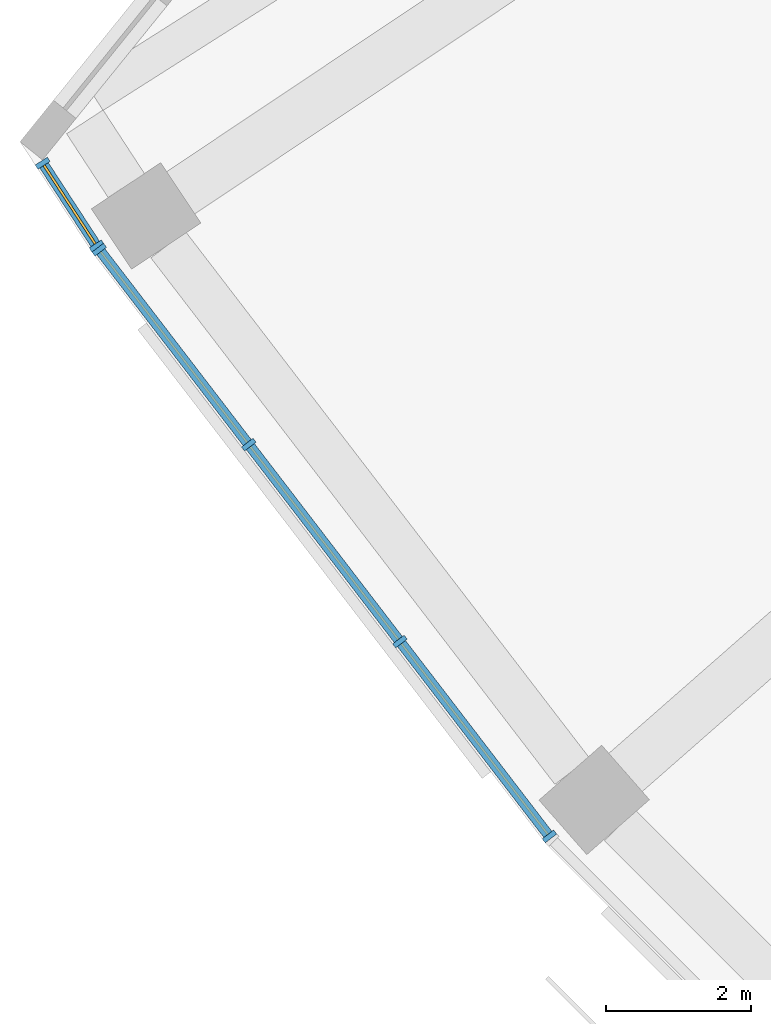
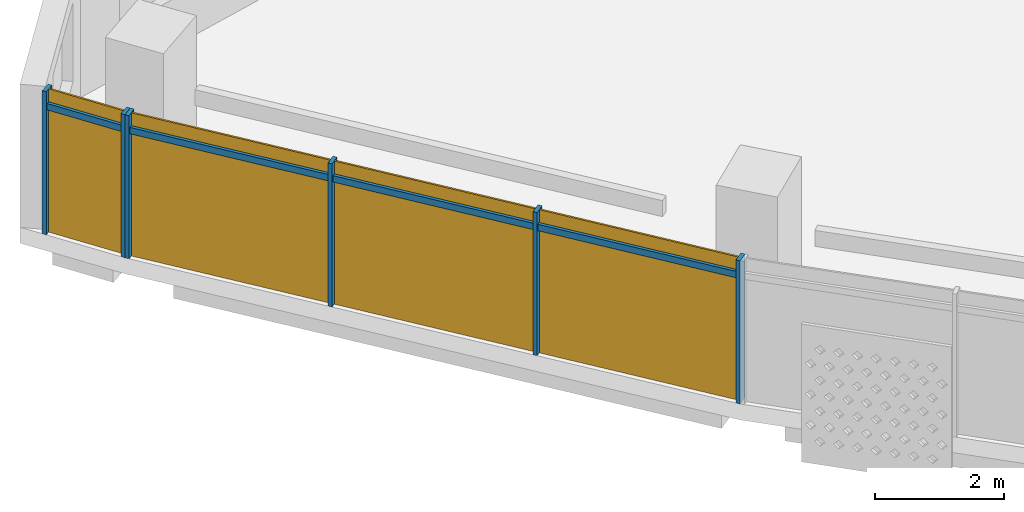
# One storey, part 19 of 29: 10 members, 2 curtain walls.
"""IFC4 building model written with IfcOpenShell, lengths in metres."""

from ifc_helpers import new_model, si_unit, direction, frame, origin, origin_2d, place, context, subcontext, project, spatial, rectangle, extrude, material, material_profile, profile_set, type_object, element, aggregate, save


model = new_model("IFC4")

# Units and contexts
model_context = context("Model", 3, precision=1e-05, world=origin(), true_north=direction((0.0, 1.0)))
body_context = subcontext(model_context, "Body", "Model", "MODEL_VIEW")
ifc_project = project(units=[si_unit("LENGTHUNIT", "METRE"), si_unit("AREAUNIT", "SQUARE_METRE"), si_unit("VOLUMEUNIT", "CUBIC_METRE"), si_unit("PLANEANGLEUNIT", "RADIAN"), si_unit("MASSUNIT", "GRAM", prefix="KILO")], contexts=[model_context])

# Member
ifc_material = material(Name="Aluminium 6063-T6 anodised", Category="aluminium")
ifc_material_profile_1 = material_profile(ifc_material, rectangle(XDim=0.199951171875, YDim=0.070068359375, at=origin_2d()))
ifc_profile_set_1 = profile_set([ifc_material_profile_1], Name="Aluminium 6063-T6 anodised")
member_type_1 = type_object("IfcMemberType", Name="Mullion 70 x 200 aluminium", PredefinedType="MULLION", material=ifc_profile_set_1)
site_placement = place(None, origin())
building_placement = place(site_placement, origin())
storey_placement = place(building_placement, frame((0.0, 0.0, 207.5)))
member_1_placement = place(storey_placement, frame((-66.075927734375, -42.467529296875, 0.0), z_axis=(0.0, 0.0, 1.0), x_axis=(0.83784444888, 0.545909039567, 0.0)))
member_1 = element("IfcMember", 1, at=member_1_placement, type_object=member_type_1, Name="e-cw1-L49-out00/M00", PredefinedType="MULLION", context=body_context, shape_type="SweptSolid", body=[
    extrude(rectangle(XDim=0.199951171875, YDim=0.070068359375, at=origin_2d()), origin(), (0.0, 0.0, 1.0), 2.699951171875),
])

member_2_placement = place(storey_placement, frame((-65.330322265625, -43.611572265625, 0.0), z_axis=(0.0, 0.0, 1.0), x_axis=(0.83784444888, 0.545909039567, 0.0)))
member_2 = element("IfcMember", 2, at=member_2_placement, type_object=member_type_1, Name="e-cw1-L49-out00/M01", PredefinedType="MULLION", context=body_context, shape_type="SweptSolid", body=[
    extrude(rectangle(XDim=0.199951171875, YDim=0.070068359375, at=origin_2d()), origin(), (0.0, 0.0, 1.0), 2.699951171875),
])

member_3_placement = place(storey_placement, frame((-65.29443359375, -43.66259765625, 0.0), z_axis=(0.0, 0.0, 1.0), x_axis=(0.793353340291, 0.608761429009, 0.0)))
member_3 = element("IfcMember", 3, at=member_3_placement, type_object=member_type_1, Name="e-cw1-L49-out01/M00", PredefinedType="MULLION", context=body_context, shape_type="SweptSolid", body=[
    extrude(rectangle(XDim=0.199951171875, YDim=0.070068359375, at=origin_2d()), origin(), (0.0, 0.0, 1.0), 2.699951171875),
])

member_4_placement = place(storey_placement, frame((-63.22802734375, -46.35546875, 0.0), z_axis=(0.0, 0.0, 1.0), x_axis=(0.793353340291, 0.608761429009, 0.0)))
member_4 = element("IfcMember", 4, at=member_4_placement, type_object=member_type_1, Name="e-cw1-L49-out01/M01", PredefinedType="MULLION", context=body_context, shape_type="SweptSolid", body=[
    extrude(rectangle(XDim=0.199951171875, YDim=0.070068359375, at=origin_2d()), origin(), (0.0, 0.0, 1.0), 2.699951171875),
])

member_5_placement = place(storey_placement, frame((-61.140380859375, -49.075927734375, 0.0), z_axis=(0.0, 0.0, 1.0), x_axis=(0.793353340291, 0.608761429009, 0.0)))
member_5 = element("IfcMember", 5, at=member_5_placement, type_object=member_type_1, Name="e-cw1-L49-out01/M02", PredefinedType="MULLION", context=body_context, shape_type="SweptSolid", body=[
    extrude(rectangle(XDim=0.199951171875, YDim=0.070068359375, at=origin_2d()), origin(), (0.0, 0.0, 1.0), 2.699951171875),
])

member_6_placement = place(storey_placement, frame((-59.07421875, -51.768798828125, 0.0), z_axis=(0.0, 0.0, 1.0), x_axis=(0.793353340291, 0.608761429009, 0.0)))
member_6 = element("IfcMember", 6, at=member_6_placement, type_object=member_type_1, Name="e-cw1-L49-out01/M03", PredefinedType="MULLION", context=body_context, shape_type="SweptSolid", body=[
    extrude(rectangle(XDim=0.199951171875, YDim=0.070068359375, at=origin_2d()), origin(), (0.0, 0.0, 1.0), 2.699951171875),
])

ifc_material_profile_2 = material_profile(ifc_material, rectangle(XDim=0.139892578125, YDim=0.1201171875, at=origin_2d()))
ifc_profile_set_2 = profile_set([ifc_material_profile_2], Name="Aluminium 6063-T6 anodised")
member_type_2 = type_object("IfcMemberType", Name="Transom 120 x 140 aluminium", PredefinedType="USERDEFINED", material=ifc_profile_set_2)
member_7_placement = place(storey_placement, frame((-66.056884765625, -42.496826171875, 2.39990234375), z_axis=(0.545928582629, -0.837831715005, 0.0), x_axis=(0.837831715005, 0.545928582629, 0.0)))
member_7 = element("IfcMember", 7, at=member_7_placement, type_object=member_type_2, Name="e-cw1-L49-out00/T00", ObjectType="TRANSOM", PredefinedType="USERDEFINED", context=body_context, shape_type="SweptSolid", body=[
    extrude(rectangle(XDim=0.139892578125, YDim=0.1201171875, at=origin_2d()), origin(), (0.0, 0.0, 1.0), 1.295654296875),
])

member_8_placement = place(storey_placement, frame((-65.273193359375, -43.690185546875, 2.39990234375), z_axis=(0.608741393132, -0.793368713958, 0.0), x_axis=(0.793368713958, 0.608741393132, 0.0)))
member_8 = element("IfcMember", 8, at=member_8_placement, type_object=member_type_2, Name="e-cw1-L49-out01/T00", ObjectType="TRANSOM", PredefinedType="USERDEFINED", context=body_context, shape_type="SweptSolid", body=[
    extrude(rectangle(XDim=0.139892578125, YDim=0.1201171875, at=origin_2d()), origin(), (0.0, 0.0, 1.0), 3.324462890625),
])

member_9_placement = place(storey_placement, frame((-63.206787109375, -46.383056640625, 2.39990234375), z_axis=(0.608719861247, -0.793385234627, 0.0), x_axis=(0.793385234627, 0.608719861247, 0.0)))
member_9 = element("IfcMember", 9, at=member_9_placement, type_object=member_type_2, Name="e-cw1-L49-out01/T01", ObjectType="TRANSOM", PredefinedType="USERDEFINED", context=body_context, shape_type="SweptSolid", body=[
    extrude(rectangle(XDim=0.139892578125, YDim=0.1201171875, at=origin_2d()), origin(), (0.0, 0.0, 1.0), 3.359375),
])

member_10_placement = place(storey_placement, frame((-61.119140625, -49.103759765625, 2.39990234375), z_axis=(0.608741393132, -0.793368713958, 0.0), x_axis=(0.793368713958, 0.608741393132, 0.0)))
member_10 = element("IfcMember", 10, at=member_10_placement, type_object=member_type_2, Name="e-cw1-L49-out01/T02", ObjectType="TRANSOM", PredefinedType="USERDEFINED", context=body_context, shape_type="SweptSolid", body=[
    extrude(rectangle(XDim=0.139892578125, YDim=0.1201171875, at=origin_2d()), origin(), (0.0, 0.0, 1.0), 3.324462890625),
])

# Site, building, storey
site = spatial("IfcSite", under=ifc_project, at=site_placement, CompositionType="ELEMENT")
building = spatial("IfcBuilding", under=site, at=building_placement, Name="Qamariyya Broadcast Tower", CompositionType="ELEMENT")
storey = spatial("IfcBuildingStorey", under=building, at=storey_placement, Name="L49", CompositionType="ELEMENT", Elevation=207.5)

# Curtain wall
curtain_wall_type = type_object("IfcCurtainWallType", Name="Unitised curtain wall, anodised aluminium", PredefinedType="NOTDEFINED", material=ifc_material)
curtain_wall_1_placement = place(storey_placement, origin())
curtain_wall_1 = element("IfcCurtainWall", 11, at=curtain_wall_1_placement, inside=storey, type_object=curtain_wall_type, Name="e-cw1-L49-out00", PredefinedType="NOTDEFINED", context=body_context, shape_type="SweptSolid", body=[
    extrude(rectangle(XDim=1.295654296875, YDim=0.031982421875, at=origin_2d()), frame((-65.703125, -43.03955078125, 0.0), x_axis=(0.545878668552, -0.837864236747, 0.0)), (0.0, 0.0, 1.0), 2.340087890625),
    extrude(rectangle(XDim=1.295654296875, YDim=0.031982421875, at=origin_2d()), frame((-65.703125, -43.03955078125, 2.4599609375), x_axis=(0.545878668552, -0.837864236747, 0.0)), (0.0, 0.0, 1.0), 0.239990234375),
])

aggregate(curtain_wall_1, [member_1, member_2, member_7])

curtain_wall_2_placement = place(storey_placement, origin())
curtain_wall_2 = element("IfcCurtainWall", 12, at=curtain_wall_2_placement, inside=storey, type_object=curtain_wall_type, Name="e-cw1-L49-out01", PredefinedType="NOTDEFINED", context=body_context, shape_type="SweptSolid", body=[
    extrude(rectangle(XDim=3.32421875, YDim=0.031982421875, at=origin_2d()), frame((-64.26123046875, -45.009033203125, 0.0), x_axis=(0.608753833159, -0.793359168734, 0.0)), (0.0, 0.0, 1.0), 2.340087890625),
    extrude(rectangle(XDim=3.32421875, YDim=0.031982421875, at=origin_2d()), frame((-64.26123046875, -45.009033203125, 2.4599609375), x_axis=(0.608753833159, -0.793359168734, 0.0)), (0.0, 0.0, 1.0), 0.239990234375),
    extrude(rectangle(XDim=3.359130859375, YDim=0.031982421875, at=origin_2d()), frame((-62.184326171875, -47.7158203125, 0.0), x_axis=(0.608753833159, -0.793359168734, 0.0)), (0.0, 0.0, 1.0), 2.340087890625),
    extrude(rectangle(XDim=3.359130859375, YDim=0.031982421875, at=origin_2d()), frame((-62.184326171875, -47.7158203125, 2.4599609375), x_axis=(0.608753833159, -0.793359168734, 0.0)), (0.0, 0.0, 1.0), 0.239990234375),
    extrude(rectangle(XDim=3.32421875, YDim=0.031982421875, at=origin_2d()), frame((-60.107421875, -50.42236328125, 0.0), x_axis=(0.608753833159, -0.793359168734, 0.0)), (0.0, 0.0, 1.0), 2.340087890625),
    extrude(rectangle(XDim=3.32421875, YDim=0.031982421875, at=origin_2d()), frame((-60.107421875, -50.42236328125, 2.4599609375), x_axis=(0.608753833159, -0.793359168734, 0.0)), (0.0, 0.0, 1.0), 0.239990234375),
])

aggregate(curtain_wall_2, [member_3, member_4, member_5, member_6, member_8, member_9, member_10])

save(model, "model.ifc")
